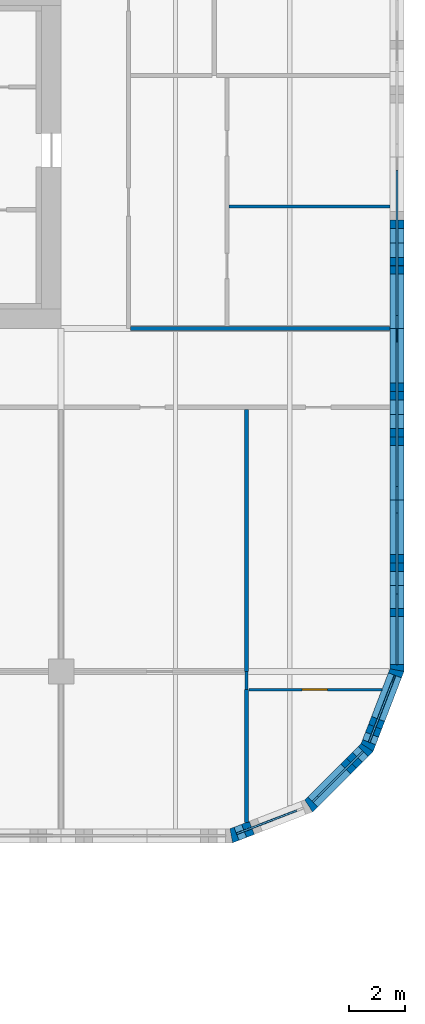
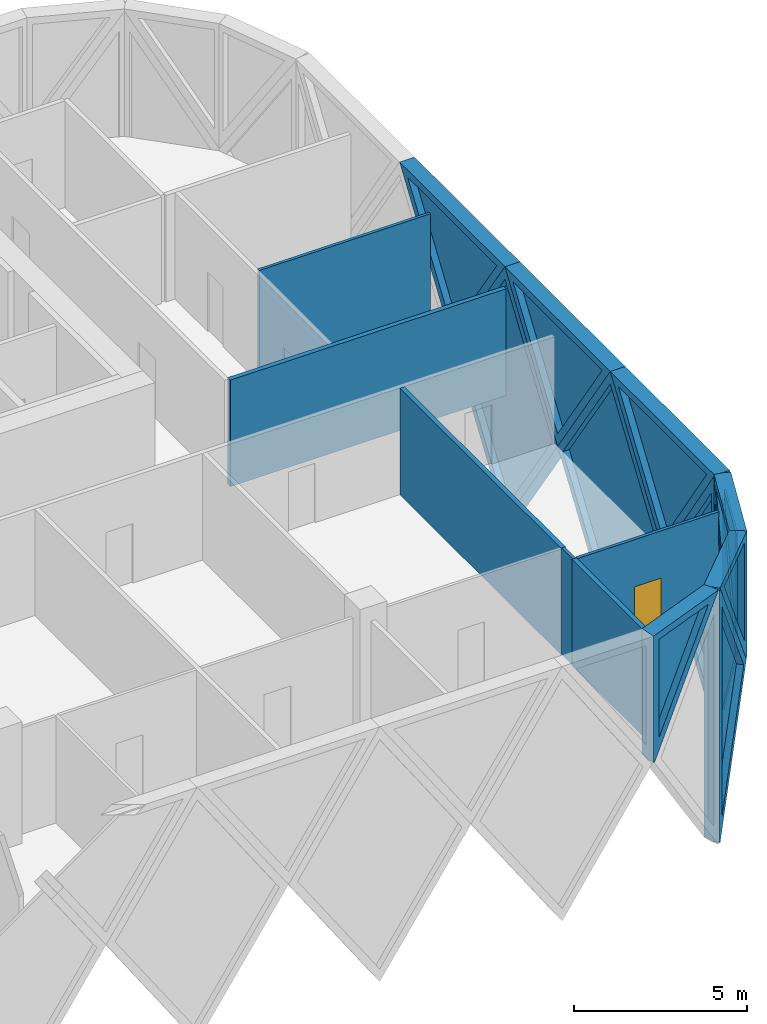
# One storey, part 26 of 30: 17 walls, 11 plates, 1 door, 12 openings.
"""IFC4 building model written with IfcOpenShell, lengths in metres."""

from ifc_helpers import new_model, si_unit, direction, frame, frame_2d, origin, place, context, subcontext, project, spatial, polyline, rectangle, outline, extrude, faceted_brep, source, transform, mapped, material, layer, layer_set, type_object, element, fill, save


model = new_model("IFC4")

# Units and contexts
model_context = context("Model", 3, precision=1e-05, world=origin(), true_north=direction((0.0, 1.0)))
body_context = subcontext(model_context, "Body", "Model", "MODEL_VIEW")
ifc_project = project(units=[si_unit("LENGTHUNIT", "METRE"), si_unit("AREAUNIT", "SQUARE_METRE"), si_unit("VOLUMEUNIT", "CUBIC_METRE"), si_unit("PLANEANGLEUNIT", "RADIAN"), si_unit("MASSUNIT", "GRAM", prefix="KILO")], contexts=[model_context])

# Site, building, storey
site_placement = place(None, origin())
site = spatial("IfcSite", under=ifc_project, at=site_placement, CompositionType="ELEMENT")
building_placement = place(site_placement, origin())
building = spatial("IfcBuilding", under=site, at=building_placement, Name="Tessera Gate Towers", CompositionType="ELEMENT")
storey_placement = place(building_placement, frame((0.0, 0.0, 21.300048828125)))
storey = spatial("IfcBuildingStorey", under=building, at=storey_placement, Name="L04", CompositionType="ELEMENT", Elevation=21.300048828125)

# Walls
ifc_material_1 = material(Name="Gypsum board on steel studs, mineral wool", Category="steel")
ifc_layer_1 = layer(ifc_material_1, 0.14990234375)
ifc_layer_set_1 = layer_set([ifc_layer_1], Name="CORRIDOR WALL 150")
wall_type_1 = type_object("IfcWallType", Name="CORRIDOR WALL 150", PredefinedType="PARTITIONING", material=ifc_layer_set_1)
wall_1_placement = place(storey_placement, frame((124.47607421875, 36.60009765625, 0.0), z_axis=(0.0, 0.0, 1.0), x_axis=(1.0, 0.0, 0.0)))
element("IfcWall", 1, at=wall_1_placement, inside=storey, type_object=wall_type_1, Name="T2-L04-PW-026", PredefinedType="PARTITIONING", context=body_context, shape_type="SweptSolid", body=[
    extrude(rectangle(XDim=9.223876953125, YDim=0.14990234375, at=frame_2d((4.61181640625, 0.0))), origin(), (0.0, 0.0, 1.0), 3.766845703125),
])
ifc_material_2 = material(Name="Glass", Category="glass")
ifc_layer_2 = layer(ifc_material_2, 0.10009765625)
ifc_layer_set_2 = layer_set([ifc_layer_2], Name="GLAZED PARTITION 100")
wall_type_2 = type_object("IfcWallType", Name="GLAZED PARTITION 100", PredefinedType="PARTITIONING", material=ifc_layer_set_2)
wall_2_placement = place(storey_placement, frame((128.60009765625, 23.7509765625, 0.0), z_axis=(0.0, 0.0, 1.0), x_axis=(0.0, 1.0, 0.0)))
element("IfcWall", 2, at=wall_2_placement, inside=storey, type_object=wall_type_2, Name="T2-L04-PW-009", PredefinedType="PARTITIONING", context=body_context, shape_type="SweptSolid", body=[
    extrude(rectangle(XDim=0.64794921875, YDim=0.10009765625, at=frame_2d((0.323974609375, 0.0))), origin(), (0.0, 0.0, 1.0), 3.766845703125),
])

# Wall, opening, door
wall_3_placement = place(storey_placement, frame((133.413330078125, 23.75, 0.0), z_axis=(0.0, 0.0, 1.0), x_axis=(-1.0, 0.0, 0.0)))
wall_3 = element("IfcWall", 3, at=wall_3_placement, inside=storey, type_object=wall_type_2, Name="T2-L04-PW-010", PredefinedType="PARTITIONING", context=body_context, shape_type="SweptSolid", body=[
    extrude(rectangle(XDim=4.7373046875, YDim=0.10009765625, at=frame_2d((2.36865234375, 0.0))), origin(), (0.0, 0.0, 1.0), 3.766845703125),
])
shared_shape_1 = source(origin(), body_context, "Body", "SweptSolid", [
    extrude(rectangle(XDim=0.89990234375, YDim=2.10009765625, at=frame_2d((0.449951171875, 1.050048828125))), frame((0.0, 0.06005859375, 0.0), z_axis=(0.0, -1.0, 0.0), x_axis=(1.0, 0.0, 0.0)), (0.0, 0.0, 1.0), 0.1201171875),
])
opening_1_placement = place(wall_3_placement, frame((1.937255859375, 0.0, 0.0)))
opening_1 = element("IfcOpeningElement", 4, at=opening_1_placement, cuts=wall_3, Name="Opening D690-B02-04", PredefinedType="OPENING", context=body_context, shape_type="MappedRepresentation", body=[
    mapped(shared_shape_1, transform((0.0, 0.0, 0.0), scale=1.0)),
])
ifc_material_3 = material(Name="Glass in aluminium frame", Category="aluminium")
door_type = type_object("IfcDoorType", Name="GLAZED DOOR 900 NOT RATED", OperationType="NOTDEFINED", PredefinedType="DOOR", material=ifc_material_3)
shared_shape_2 = source(origin(), body_context, "Body", "SweptSolid", [
    extrude(rectangle(XDim=0.89990234375, YDim=2.10009765625, at=frame_2d((0.449951171875, 1.050048828125))), frame((0.0, 0.02490234375, 0.0), z_axis=(0.0, -1.0, 0.0), x_axis=(1.0, 0.0, 0.0)), (0.0, 0.0, 1.0), 0.050048828125),
])
door_placement = place(opening_1_placement, origin())
door = element("IfcDoor", 5, at=door_placement, inside=storey, type_object=door_type, Name="T2-L04-PD-008", OperationType="SINGLE_SWING_RIGHT", OverallHeight=2.10009765625, OverallWidth=0.89990234375, PredefinedType="DOOR", context=body_context, shape_type="MappedRepresentation", body=[
    mapped(shared_shape_2, transform((0.0, 0.0, 0.0), scale=1.0)),
])
fill(opening_1, door)

# Walls
ifc_material_4 = material(Name="Gypsum board on steel studs", Category="steel")
ifc_layer_3 = layer(ifc_material_4, 0.10009765625)
ifc_layer_set_3 = layer_set([ifc_layer_3], Name="PARTITION 100")
wall_type_3 = type_object("IfcWallType", Name="PARTITION 100", PredefinedType="PARTITIONING", material=ifc_layer_set_3)
wall_4_placement = place(storey_placement, frame((127.97607421875, 40.947998046875, 0.0), z_axis=(0.0, 0.0, 1.0), x_axis=(1.0, 0.0, 0.0)))
element("IfcWall", 6, at=wall_4_placement, inside=storey, type_object=wall_type_3, Name="T2-L04-PW-031", PredefinedType="PARTITIONING", context=body_context, shape_type="SweptSolid", body=[
    extrude(rectangle(XDim=5.723876953125, YDim=0.10009765625, at=frame_2d((2.86181640625, 0.0))), origin(), (0.0, 0.0, 1.0), 3.766845703125),
])
ifc_material_5 = material(Name="Gypsum board on steel studs, mineral wool", Category="steel")
ifc_layer_4 = layer(ifc_material_5, 0.14990234375)
ifc_layer_set_4 = layer_set([ifc_layer_4], Name="TENANCY WALL 150")
wall_type_4 = type_object("IfcWallType", Name="TENANCY WALL 150", PredefinedType="PARTITIONING", material=ifc_layer_set_4)
wall_5_placement = place(storey_placement, frame((128.60009765625, 19.02880859375, 0.0), z_axis=(0.0, 0.0, 1.0), x_axis=(0.0, 1.0, 0.0)))
element("IfcWall", 7, at=wall_5_placement, inside=storey, type_object=wall_type_4, Name="T2-L04-PW-008", PredefinedType="PARTITIONING", context=body_context, shape_type="SweptSolid", body=[
    extrude(rectangle(XDim=4.72119140625, YDim=0.14990234375, at=frame_2d((2.360595703125, 0.0))), origin(), (0.0, 0.0, 1.0), 3.766845703125),
])
wall_6_placement = place(storey_placement, frame((128.60009765625, 24.39990234375, 0.0), z_axis=(0.0, 0.0, 1.0), x_axis=(0.0, 1.0, 0.0)))
element("IfcWall", 8, at=wall_6_placement, inside=storey, type_object=wall_type_4, Name="T2-L04-PW-020", PredefinedType="PARTITIONING", context=body_context, shape_type="SweptSolid", body=[
    extrude(rectangle(XDim=9.32421875, YDim=0.14990234375, at=frame_2d((4.662109375, 0.0))), origin(), (0.0, 0.0, 1.0), 3.766845703125),
])

# Wall, opening, plate
ifc_material_6 = material(Name="Precast concrete C60/75 white", Category="concrete")
ifc_layer_5 = layer(ifc_material_6, 0.5)
ifc_layer_set_5 = layer_set([ifc_layer_5], Name="TS1 tessera")
wall_type_5 = type_object("IfcWallType", Name="TS1 tessera", PredefinedType="SOLIDWALL", material=ifc_layer_set_5)
shared_shape_3 = source(origin(), body_context, "Body", "Brep", [
    faceted_brep([(3.050048828125, -0.25, 0.0), (6.099853515625, -0.25, 4.499755859375), (6.099853515625, -0.25, 4.500244140625), (3.050048828125, -0.25, 9.0), (0.0, -0.25, 4.5), (0.0, 0.25, 4.5), (3.050048828125, 0.25, 9.0), (6.099853515625, 0.25, 4.500244140625), (6.099853515625, 0.25, 4.499755859375), (3.050048828125, 0.25, 0.0)], [[[0, 1, 2, 3, 4]], [[5, 6, 7, 8, 9]], [[9, 8, 1, 0]], [[7, 6, 3, 2]], [[6, 5, 4, 3]], [[5, 9, 0, 4]], [[1, 8, 7, 2]]]),
])
wall_7_placement = place(storey_placement, frame((133.949951171875, 33.550048828125, -4.5), z_axis=(0.0, 0.0, 1.0), x_axis=(0.0, 1.0, 0.0)))
wall_7 = element("IfcWall", 9, at=wall_7_placement, inside=storey, type_object=wall_type_5, Name="Precast tessera T2 TS1-0008", PredefinedType="SOLIDWALL", context=body_context, shape_type="MappedRepresentation", body=[
    mapped(shared_shape_3, transform((0.0, 0.0, 0.0), scale=1.0)),
])
shared_shape_4 = source(origin(), body_context, "Body", "SweptSolid", [
    extrude(outline(polyline([(3.050048828125, 0.445556640625), (5.798095703125, 4.5), (3.050048828125, 8.554443359375), (0.302001953125, 4.5), (3.050048828125, 0.445556640625)])), frame((0.0, 0.260009765625, 0.0), z_axis=(0.0, -1.0, 0.0), x_axis=(1.0, 0.0, 0.0)), (0.0, 0.0, 1.0), 0.52001953125),
])
opening_2_placement = place(wall_7_placement, origin())
opening_2 = element("IfcOpeningElement", 10, at=opening_2_placement, cuts=wall_7, Name="Opening T2-PL2-0012", PredefinedType="OPENING", context=body_context, shape_type="MappedRepresentation", body=[
    mapped(shared_shape_4, transform((0.0, 0.0, 0.0), scale=1.0)),
])
ifc_material_7 = material(Name="Low-e laminated glass", Category="glass")
ifc_layer_6 = layer(ifc_material_7, 0.06005859375)
ifc_layer_set_6 = layer_set([ifc_layer_6], Name="PL2 rhombic pane")
plate_type_1 = type_object("IfcPlateType", Name="PL2 rhombic pane", PredefinedType="SHEET", material=ifc_layer_set_6)
shared_shape_5 = source(origin(), body_context, "Body", "SweptSolid", [
    extrude(outline(polyline([(3.050048828125, 0.445556640625), (5.798095703125, 4.5), (3.050048828125, 8.554443359375), (0.302001953125, 4.5), (3.050048828125, 0.445556640625)])), frame((0.0, 0.030029296875, 0.0), z_axis=(0.0, -1.0, 0.0), x_axis=(1.0, 0.0, 0.0)), (0.0, 0.0, 1.0), 0.06005859375),
])
plate_1_placement = place(opening_2_placement, origin())
plate_1 = element("IfcPlate", 11, at=plate_1_placement, inside=storey, type_object=plate_type_1, Name="Glass pane T2 PL2-0012", PredefinedType="SHEET", context=body_context, shape_type="MappedRepresentation", body=[
    mapped(shared_shape_5, transform((0.0, 0.0, 0.0), scale=1.0)),
])
fill(opening_2, plate_1)

shared_shape_6 = source(origin(), body_context, "Body", "SweptSolid", [
    extrude(outline(polyline([(3.050048828125, 0.0), (6.10009765625, 4.5), (3.050048828125, 9.0), (0.0, 4.5), (3.050048828125, 0.0)])), frame((0.0, 0.25, 0.0), z_axis=(0.0, -1.0, 0.0), x_axis=(1.0, 0.0, 0.0)), (0.0, 0.0, 1.0), 0.5),
])
wall_8_placement = place(storey_placement, frame((133.949951171875, 27.449951171875, -4.5), z_axis=(0.0, 0.0, 1.0), x_axis=(0.0, 1.0, 0.0)))
wall_8 = element("IfcWall", 12, at=wall_8_placement, inside=storey, type_object=wall_type_5, Name="Precast tessera T2 TS1-0007", PredefinedType="SOLIDWALL", context=body_context, shape_type="MappedRepresentation", body=[
    mapped(shared_shape_6, transform((0.0, 0.0, 0.0), scale=1.0)),
])
opening_3_placement = place(wall_8_placement, origin())
opening_3 = element("IfcOpeningElement", 13, at=opening_3_placement, cuts=wall_8, Name="Opening T2-PL2-0011", PredefinedType="OPENING", context=body_context, shape_type="MappedRepresentation", body=[
    mapped(shared_shape_4, transform((0.0, 0.0, 0.0), scale=1.0)),
])
plate_2_placement = place(opening_3_placement, origin())
plate_2 = element("IfcPlate", 14, at=plate_2_placement, inside=storey, type_object=plate_type_1, Name="Glass pane T2 PL2-0011", PredefinedType="SHEET", context=body_context, shape_type="MappedRepresentation", body=[
    mapped(shared_shape_5, transform((0.0, 0.0, 0.0), scale=1.0)),
])
fill(opening_3, plate_2)

ifc_material_8 = material(Name="Precast concrete C60/75 white", Category="concrete")
ifc_layer_7 = layer(ifc_material_8, 0.5)
ifc_layer_set_7 = layer_set([ifc_layer_7], Name="TS3 corner tessera")
wall_type_6 = type_object("IfcWallType", Name="TS3 corner tessera", PredefinedType="SOLIDWALL", material=ifc_layer_set_7)
shared_shape_7 = source(origin(), body_context, "Body", "Brep", [
    faceted_brep([(2.950439453125, -0.25, 0.0), (2.9970703125, -0.25, 0.06982421875), (2.9970703125, -0.25, 8.93017578125), (2.950439453125, -0.25, 9.0), (0.0, -0.25, 4.5), (0.052978515625, 0.25, 4.580810546875), (2.904052734375, 0.25, 8.92919921875), (2.904052734375, 0.25, 0.07080078125), (0.052978515625, 0.25, 4.419189453125), (2.950439453125, 0.00048828125, 0.0), (2.950439453125, 0.00048828125, 9.0), (0.0, 0.0, 4.5)], [[[0, 1, 2, 3, 4]], [[5, 6, 7, 8]], [[1, 0, 9]], [[10, 3, 2]], [[6, 5, 11, 4, 3, 10]], [[8, 7, 9, 0, 4, 11]], [[8, 11, 5]], [[1, 9, 7, 6, 10, 2]]]),
])
wall_9_placement = place(storey_placement, frame((132.88818359375, 21.69384765625, -4.5), z_axis=(0.0, 0.0, 1.0), x_axis=(0.359901446078, 0.932990326376, 0.0)))
wall_9 = element("IfcWall", 15, at=wall_9_placement, inside=storey, type_object=wall_type_6, Name="Precast corner tessera T2 TS3-0019", PredefinedType="SOLIDWALL", context=body_context, shape_type="MappedRepresentation", body=[
    mapped(shared_shape_7, transform((0.0, 0.0, 0.0), scale=1.0)),
])
shared_shape_8 = source(origin(), body_context, "Body", "SweptSolid", [
    extrude(outline(polyline([(2.75048828125, 8.239013671875), (0.298828125, 4.5), (2.75048828125, 0.760986328125), (2.75048828125, 8.239013671875)])), frame((0.0, 0.260009765625, 0.0), z_axis=(0.0, -1.0, 0.0), x_axis=(1.0, 0.0, 0.0)), (0.0, 0.0, 1.0), 0.52001953125),
])
opening_4_placement = place(wall_9_placement, origin())
opening_4 = element("IfcOpeningElement", 16, at=opening_4_placement, cuts=wall_9, Name="Opening T2-PL2-0009", PredefinedType="OPENING", context=body_context, shape_type="MappedRepresentation", body=[
    mapped(shared_shape_8, transform((0.0, 0.0, 0.0), scale=1.0)),
])
shared_shape_9 = source(origin(), body_context, "Body", "SweptSolid", [
    extrude(outline(polyline([(2.75048828125, 8.239013671875), (0.298828125, 4.5), (2.75048828125, 0.760986328125), (2.75048828125, 8.239013671875)])), frame((0.0, 0.030029296875, 0.0), z_axis=(0.0, -1.0, 0.0), x_axis=(1.0, 0.0, 0.0)), (0.0, 0.0, 1.0), 0.06005859375),
])
plate_3_placement = place(opening_4_placement, origin())
plate_3 = element("IfcPlate", 17, at=plate_3_placement, inside=storey, type_object=plate_type_1, Name="Glass pane T2 PL2-0009", PredefinedType="SHEET", context=body_context, shape_type="MappedRepresentation", body=[
    mapped(shared_shape_9, transform((0.0, 0.0, 0.0), scale=1.0)),
])
fill(opening_4, plate_3)

shared_shape_10 = source(origin(), body_context, "Body", "Brep", [
    faceted_brep([(0.046630859375, -0.25, 0.0), (3.050048828125, -0.25, 4.5), (0.046630859375, -0.25, 9.0), (0.0, -0.25, 8.928955078125), (0.0, -0.25, 0.071044921875), (0.09326171875, 0.25, 8.93017578125), (3.050048828125, 0.25, 4.5), (0.09326171875, 0.25, 0.06982421875), (0.046630859375, 0.0, 0.0), (0.046630859375, 0.0, 9.0)], [[[0, 1, 2, 3, 4]], [[5, 6, 7]], [[7, 6, 1, 0, 8]], [[6, 5, 9, 2, 1]], [[3, 2, 9]], [[8, 0, 4]], [[7, 8, 4, 3, 9, 5]]]),
])
wall_10_placement = place(storey_placement, frame((133.949951171875, 24.39990234375, -4.5), z_axis=(0.0, 0.0, 1.0), x_axis=(0.0, 1.0, 0.0)))
wall_10 = element("IfcWall", 18, at=wall_10_placement, inside=storey, type_object=wall_type_6, Name="Precast corner tessera T2 TS3-0020", PredefinedType="SOLIDWALL", context=body_context, shape_type="MappedRepresentation", body=[
    mapped(shared_shape_10, transform((0.0, 0.0, 0.0), scale=1.0)),
])
shared_shape_11 = source(origin(), body_context, "Body", "SweptSolid", [
    extrude(outline(polyline([(0.24658203125, 0.75), (2.74951171875, 4.5), (0.24658203125, 8.25), (0.24658203125, 0.75)])), frame((0.0, 0.260009765625, 0.0), z_axis=(0.0, -1.0, 0.0), x_axis=(1.0, 0.0, 0.0)), (0.0, 0.0, 1.0), 0.52001953125),
])
opening_5_placement = place(wall_10_placement, origin())
opening_5 = element("IfcOpeningElement", 19, at=opening_5_placement, cuts=wall_10, Name="Opening T2-PL2-0010", PredefinedType="OPENING", context=body_context, shape_type="MappedRepresentation", body=[
    mapped(shared_shape_11, transform((0.0, 0.0, 0.0), scale=1.0)),
])
shared_shape_12 = source(origin(), body_context, "Body", "SweptSolid", [
    extrude(outline(polyline([(0.24658203125, 0.75), (2.74951171875, 4.5), (0.24658203125, 8.25), (0.24658203125, 0.75)])), frame((0.0, 0.030029296875, 0.0), z_axis=(0.0, -1.0, 0.0), x_axis=(1.0, 0.0, 0.0)), (0.0, 0.0, 1.0), 0.06005859375),
])
plate_4_placement = place(opening_5_placement, origin())
plate_4 = element("IfcPlate", 20, at=plate_4_placement, inside=storey, type_object=plate_type_1, Name="Glass pane T2 PL2-0010", PredefinedType="SHEET", context=body_context, shape_type="MappedRepresentation", body=[
    mapped(shared_shape_12, transform((0.0, 0.0, 0.0), scale=1.0)),
])
fill(opening_5, plate_4)

shared_shape_13 = source(origin(), body_context, "Body", "Brep", [
    faceted_brep([(0.052978515625, -0.25, 0.0), (2.9970703125, -0.25, 4.5), (0.052978515625, -0.25, 9.0), (0.0, -0.25, 8.919189453125), (0.0, -0.25, 0.080810546875), (0.10595703125, 0.25, 8.919189453125), (2.944091796875, 0.25, 4.580810546875), (2.944091796875, 0.25, 4.419189453125), (0.10595703125, 0.25, 0.080810546875), (2.9970703125, 0.000244140625, 4.5), (0.052978515625, 0.0, 0.0), (0.052978515625, 0.0, 9.0)], [[[0, 1, 2, 3, 4]], [[5, 6, 7, 8]], [[8, 7, 9, 1, 0, 10]], [[6, 5, 11, 2, 1, 9]], [[3, 2, 11]], [[10, 0, 4]], [[8, 10, 4, 3, 11, 5]], [[9, 7, 6]]]),
])
wall_11_placement = place(storey_placement, frame((130.768798828125, 19.574462890625, -4.5), z_axis=(0.0, 0.0, 1.0), x_axis=(0.707106781187, 0.707106781187, 0.0)))
wall_11 = element("IfcWall", 21, at=wall_11_placement, inside=storey, type_object=wall_type_6, Name="Precast corner tessera T2 TS3-0018", PredefinedType="SOLIDWALL", context=body_context, shape_type="MappedRepresentation", body=[
    mapped(shared_shape_13, transform((0.0, 0.0, 0.0), scale=1.0)),
])
shared_shape_14 = source(origin(), body_context, "Body", "SweptSolid", [
    extrude(outline(polyline([(0.2529296875, 0.76220703125), (2.698486328125, 4.5), (0.2529296875, 8.237548828125), (0.2529296875, 0.76220703125)])), frame((0.0, 0.260009765625, 0.0), z_axis=(0.0, -1.0, 0.0), x_axis=(1.0, 0.0, 0.0)), (0.0, 0.0, 1.0), 0.52001953125),
])
opening_6_placement = place(wall_11_placement, origin())
opening_6 = element("IfcOpeningElement", 22, at=opening_6_placement, cuts=wall_11, Name="Opening T2-PL2-0008", PredefinedType="OPENING", context=body_context, shape_type="MappedRepresentation", body=[
    mapped(shared_shape_14, transform((0.0, 0.0, 0.0), scale=1.0)),
])
shared_shape_15 = source(origin(), body_context, "Body", "SweptSolid", [
    extrude(outline(polyline([(0.2529296875, 0.76220703125), (2.698486328125, 4.5), (0.2529296875, 8.237548828125), (0.2529296875, 0.76220703125)])), frame((0.0, 0.030029296875, 0.0), z_axis=(0.0, -1.0, 0.0), x_axis=(1.0, 0.0, 0.0)), (0.0, 0.0, 1.0), 0.06005859375),
])
plate_5_placement = place(opening_6_placement, origin())
plate_5 = element("IfcPlate", 23, at=plate_5_placement, inside=storey, type_object=plate_type_1, Name="Glass pane T2 PL2-0008", PredefinedType="SHEET", context=body_context, shape_type="MappedRepresentation", body=[
    mapped(shared_shape_15, transform((0.0, 0.0, 0.0), scale=1.0)),
])
fill(opening_6, plate_5)

ifc_material_9 = material(Name="Precast concrete C60/75 white", Category="concrete")
ifc_layer_8 = layer(ifc_material_9, 0.5)
ifc_layer_set_8 = layer_set([ifc_layer_8], Name="TS2 half tessera")
wall_type_7 = type_object("IfcWallType", Name="TS2 half tessera", PredefinedType="SOLIDWALL", material=ifc_layer_set_8)
shared_shape_16 = source(origin(), body_context, "Body", "Brep", [
    faceted_brep([(3.050048828125, -0.25, 0.0), (6.099853515625, -0.25, 4.499755859375), (6.099853515625, -0.25, 4.5), (0.0, -0.25, 4.5), (0.0, 0.25, 4.5), (6.099853515625, 0.25, 4.5), (6.099853515625, 0.25, 4.499755859375), (3.050048828125, 0.25, 0.0)], [[[0, 1, 2, 3]], [[4, 5, 6, 7]], [[7, 6, 1, 0]], [[5, 4, 3, 2]], [[4, 7, 0, 3]], [[1, 6, 5, 2]]]),
])
wall_12_placement = place(storey_placement, frame((133.949951171875, 36.60009765625, 0.0), z_axis=(0.0, 0.0, 1.0), x_axis=(0.0, 1.0, 0.0)))
wall_12 = element("IfcWall", 24, at=wall_12_placement, inside=storey, type_object=wall_type_7, Name="Precast half tessera T2 TS2-0025", PredefinedType="SOLIDWALL", context=body_context, shape_type="MappedRepresentation", body=[
    mapped(shared_shape_16, transform((0.0, 0.0, 0.0), scale=1.0)),
])
shared_shape_17 = source(origin(), body_context, "Body", "SweptSolid", [
    extrude(outline(polyline([(3.050048828125, 0.445556640625), (5.628662109375, 4.25), (0.471435546875, 4.25), (3.050048828125, 0.445556640625)])), frame((0.0, 0.260009765625, 0.0), z_axis=(0.0, -1.0, 0.0), x_axis=(1.0, 0.0, 0.0)), (0.0, 0.0, 1.0), 0.52001953125),
])
opening_7_placement = place(wall_12_placement, origin())
opening_7 = element("IfcOpeningElement", 25, at=opening_7_placement, cuts=wall_12, Name="Opening T2-PL1-0047", PredefinedType="OPENING", context=body_context, shape_type="MappedRepresentation", body=[
    mapped(shared_shape_17, transform((0.0, 0.0, 0.0), scale=1.0)),
])
ifc_material_10 = material(Name="Low-e laminated glass", Category="glass")
ifc_layer_9 = layer(ifc_material_10, 0.06005859375)
ifc_layer_set_9 = layer_set([ifc_layer_9], Name="PL1 triangular pane")
plate_type_2 = type_object("IfcPlateType", Name="PL1 triangular pane", PredefinedType="SHEET", material=ifc_layer_set_9)
shared_shape_18 = source(origin(), body_context, "Body", "SweptSolid", [
    extrude(outline(polyline([(3.050048828125, 0.445556640625), (5.628662109375, 4.25), (0.471435546875, 4.25), (3.050048828125, 0.445556640625)])), frame((0.0, 0.030029296875, 0.0), z_axis=(0.0, -1.0, 0.0), x_axis=(1.0, 0.0, 0.0)), (0.0, 0.0, 1.0), 0.06005859375),
])
plate_6_placement = place(opening_7_placement, origin())
plate_6 = element("IfcPlate", 26, at=plate_6_placement, inside=storey, type_object=plate_type_2, Name="Glass pane T2 PL1-0047", PredefinedType="SHEET", context=body_context, shape_type="MappedRepresentation", body=[
    mapped(shared_shape_18, transform((0.0, 0.0, 0.0), scale=1.0)),
])
fill(opening_7, plate_6)

shared_shape_19 = source(origin(), body_context, "Body", "SweptSolid", [
    extrude(outline(polyline([(3.050048828125, 0.0), (6.10009765625, 4.5), (0.0, 4.5), (3.050048828125, 0.0)])), frame((0.0, 0.25, 0.0), z_axis=(0.0, -1.0, 0.0), x_axis=(1.0, 0.0, 0.0)), (0.0, 0.0, 1.0), 0.5),
])
wall_13_placement = place(storey_placement, frame((133.949951171875, 30.5, 0.0), z_axis=(0.0, 0.0, 1.0), x_axis=(0.0, 1.0, 0.0)))
wall_13 = element("IfcWall", 27, at=wall_13_placement, inside=storey, type_object=wall_type_7, Name="Precast half tessera T2 TS2-0024", PredefinedType="SOLIDWALL", context=body_context, shape_type="MappedRepresentation", body=[
    mapped(shared_shape_19, transform((0.0, 0.0, 0.0), scale=1.0)),
])
opening_8_placement = place(wall_13_placement, origin())
opening_8 = element("IfcOpeningElement", 28, at=opening_8_placement, cuts=wall_13, Name="Opening T2-PL1-0046", PredefinedType="OPENING", context=body_context, shape_type="MappedRepresentation", body=[
    mapped(shared_shape_17, transform((0.0, 0.0, 0.0), scale=1.0)),
])
plate_7_placement = place(opening_8_placement, origin())
plate_7 = element("IfcPlate", 29, at=plate_7_placement, inside=storey, type_object=plate_type_2, Name="Glass pane T2 PL1-0046", PredefinedType="SHEET", context=body_context, shape_type="MappedRepresentation", body=[
    mapped(shared_shape_18, transform((0.0, 0.0, 0.0), scale=1.0)),
])
fill(opening_8, plate_7)

shared_shape_20 = source(origin(), body_context, "Body", "Brep", [
    faceted_brep([(0.046630859375, -0.25, 0.0), (2.9970703125, -0.25, 4.5), (0.0, -0.25, 4.5), (0.0, -0.25, 0.06982421875), (0.09326171875, 0.25, 4.5), (2.9443359375, 0.25, 4.5), (2.9443359375, 0.25, 4.41943359375), (0.09326171875, 0.25, 0.071044921875), (2.9970703125, 0.00048828125, 4.5), (0.046630859375, 0.0, 0.0)], [[[0, 1, 2, 3]], [[4, 5, 6, 7]], [[7, 6, 8, 1, 0, 9]], [[5, 4, 2, 1, 8]], [[9, 0, 3]], [[7, 9, 3, 2, 4]], [[6, 5, 8]]]),
])
wall_14_placement = place(storey_placement, frame((128.010009765625, 18.533203125, 0.0), z_axis=(0.0, 0.0, 1.0), x_axis=(0.932990326376, 0.359901446078, 0.0)))
wall_14 = element("IfcWall", 30, at=wall_14_placement, inside=storey, type_object=wall_type_6, Name="Precast corner tessera T2 TS3-0036", PredefinedType="SOLIDWALL", context=body_context, shape_type="MappedRepresentation", body=[
    mapped(shared_shape_20, transform((0.0, 0.0, 0.0), scale=1.0)),
])
shared_shape_21 = source(origin(), body_context, "Body", "SweptSolid", [
    extrude(outline(polyline([(0.24658203125, 0.760986328125), (2.5341796875, 4.25), (0.24658203125, 4.25), (0.24658203125, 0.760986328125)])), frame((0.0, 0.260009765625, 0.0), z_axis=(0.0, -1.0, 0.0), x_axis=(1.0, 0.0, 0.0)), (0.0, 0.0, 1.0), 0.52001953125),
])
opening_9_placement = place(wall_14_placement, origin())
opening_9 = element("IfcOpeningElement", 31, at=opening_9_placement, cuts=wall_14, Name="Opening T2-PL1-0042", PredefinedType="OPENING", context=body_context, shape_type="MappedRepresentation", body=[
    mapped(shared_shape_21, transform((0.0, 0.0, 0.0), scale=1.0)),
])
shared_shape_22 = source(origin(), body_context, "Body", "SweptSolid", [
    extrude(outline(polyline([(0.24658203125, 0.760986328125), (2.5341796875, 4.25), (0.24658203125, 4.25), (0.24658203125, 0.760986328125)])), frame((0.0, 0.030029296875, 0.0), z_axis=(0.0, -1.0, 0.0), x_axis=(1.0, 0.0, 0.0)), (0.0, 0.0, 1.0), 0.06005859375),
])
plate_8_placement = place(opening_9_placement, origin())
plate_8 = element("IfcPlate", 32, at=plate_8_placement, inside=storey, type_object=plate_type_2, Name="Glass pane T2 PL1-0042", PredefinedType="SHEET", context=body_context, shape_type="MappedRepresentation", body=[
    mapped(shared_shape_22, transform((0.0, 0.0, 0.0), scale=1.0)),
])
fill(opening_9, plate_8)

shared_shape_23 = source(origin(), body_context, "Body", "Brep", [
    faceted_brep([(3.00341796875, -0.25, 0.0), (6.053466796875, -0.25, 4.5), (0.0, -0.25, 4.5), (0.046630859375, 0.25, 4.5), (6.053466796875, 0.25, 4.5), (3.00341796875, 0.25, 0.0), (0.046630859375, 0.25, 4.43017578125), (0.0, 0.0, 4.5)], [[[0, 1, 2]], [[3, 4, 5, 6]], [[5, 4, 1, 0]], [[4, 3, 7, 2, 1]], [[6, 5, 0, 2, 7]], [[6, 7, 3]]]),
])
wall_15_placement = place(storey_placement, frame((133.949951171875, 24.446533203125, 0.0), z_axis=(0.0, 0.0, 1.0), x_axis=(0.0, 1.0, 0.0)))
wall_15 = element("IfcWall", 33, at=wall_15_placement, inside=storey, type_object=wall_type_7, Name="Precast half tessera T2 TS2-0023", PredefinedType="SOLIDWALL", context=body_context, shape_type="MappedRepresentation", body=[
    mapped(shared_shape_23, transform((0.0, 0.0, 0.0), scale=1.0)),
])
shared_shape_24 = source(origin(), body_context, "Body", "SweptSolid", [
    extrude(outline(polyline([(3.005126953125, 0.447998046875), (5.58203125, 4.25), (0.467529296875, 4.25), (3.005126953125, 0.447998046875)])), frame((0.0, 0.260009765625, 0.0), z_axis=(0.0, -1.0, 0.0), x_axis=(1.0, 0.0, 0.0)), (0.0, 0.0, 1.0), 0.52001953125),
])
opening_10_placement = place(wall_15_placement, origin())
opening_10 = element("IfcOpeningElement", 34, at=opening_10_placement, cuts=wall_15, Name="Opening T2-PL1-0045", PredefinedType="OPENING", context=body_context, shape_type="MappedRepresentation", body=[
    mapped(shared_shape_24, transform((0.0, 0.0, 0.0), scale=1.0)),
])
shared_shape_25 = source(origin(), body_context, "Body", "SweptSolid", [
    extrude(outline(polyline([(3.005126953125, 0.447998046875), (5.58203125, 4.25), (0.467529296875, 4.25), (3.005126953125, 0.447998046875)])), frame((0.0, 0.030029296875, 0.0), z_axis=(0.0, -1.0, 0.0), x_axis=(1.0, 0.0, 0.0)), (0.0, 0.0, 1.0), 0.06005859375),
])
plate_9_placement = place(opening_10_placement, origin())
plate_9 = element("IfcPlate", 35, at=plate_9_placement, inside=storey, type_object=plate_type_2, Name="Glass pane T2 PL1-0045", PredefinedType="SHEET", context=body_context, shape_type="MappedRepresentation", body=[
    mapped(shared_shape_25, transform((0.0, 0.0, 0.0), scale=1.0)),
])
fill(opening_10, plate_9)

shared_shape_26 = source(origin(), body_context, "Body", "Brep", [
    faceted_brep([(2.944091796875, -0.25, 0.0), (2.9970703125, -0.25, 0.080810546875), (2.9970703125, -0.25, 4.5), (0.0, -0.25, 4.5), (0.052978515625, 0.25, 4.5), (2.89111328125, 0.25, 4.5), (2.89111328125, 0.25, 0.080810546875), (0.052978515625, 0.25, 4.419189453125), (2.944091796875, 0.000244140625, 0.0), (0.0, 0.0, 4.5)], [[[0, 1, 2, 3]], [[4, 5, 6, 7]], [[1, 0, 8]], [[5, 4, 9, 3, 2]], [[7, 6, 8, 0, 3, 9]], [[7, 9, 4]], [[1, 8, 6, 5, 2]]]),
])
wall_16_placement = place(storey_placement, frame((130.80615234375, 19.61181640625, 0.0), z_axis=(0.0, 0.0, 1.0), x_axis=(0.707106781187, 0.707106781187, 0.0)))
wall_16 = element("IfcWall", 36, at=wall_16_placement, inside=storey, type_object=wall_type_6, Name="Precast corner tessera T2 TS3-0037", PredefinedType="SOLIDWALL", context=body_context, shape_type="MappedRepresentation", body=[
    mapped(shared_shape_26, transform((0.0, 0.0, 0.0), scale=1.0)),
])
shared_shape_27 = source(origin(), body_context, "Body", "SweptSolid", [
    extrude(outline(polyline([(2.744140625, 4.25), (0.46240234375, 4.25), (2.744140625, 0.76220703125), (2.744140625, 4.25)])), frame((0.0, 0.260009765625, 0.0), z_axis=(0.0, -1.0, 0.0), x_axis=(1.0, 0.0, 0.0)), (0.0, 0.0, 1.0), 0.52001953125),
])
opening_11_placement = place(wall_16_placement, origin())
opening_11 = element("IfcOpeningElement", 37, at=opening_11_placement, cuts=wall_16, Name="Opening T2-PL1-0043", PredefinedType="OPENING", context=body_context, shape_type="MappedRepresentation", body=[
    mapped(shared_shape_27, transform((0.0, 0.0, 0.0), scale=1.0)),
])
shared_shape_28 = source(origin(), body_context, "Body", "SweptSolid", [
    extrude(outline(polyline([(2.744140625, 4.25), (0.46240234375, 4.25), (2.744140625, 0.76220703125), (2.744140625, 4.25)])), frame((0.0, 0.030029296875, 0.0), z_axis=(0.0, -1.0, 0.0), x_axis=(1.0, 0.0, 0.0)), (0.0, 0.0, 1.0), 0.06005859375),
])
plate_10_placement = place(opening_11_placement, origin())
plate_10 = element("IfcPlate", 38, at=plate_10_placement, inside=storey, type_object=plate_type_2, Name="Glass pane T2 PL1-0043", PredefinedType="SHEET", context=body_context, shape_type="MappedRepresentation", body=[
    mapped(shared_shape_28, transform((0.0, 0.0, 0.0), scale=1.0)),
])
fill(opening_11, plate_10)

shared_shape_29 = source(origin(), body_context, "Body", "Brep", [
    faceted_brep([(0.052978515625, -0.25, 0.0), (3.00341796875, -0.25, 4.5), (0.0, -0.25, 4.5), (0.0, -0.25, 0.080810546875), (0.10595703125, 0.25, 4.5), (2.95703125, 0.25, 4.5), (2.95703125, 0.25, 4.42919921875), (0.10595703125, 0.25, 0.080810546875), (3.00341796875, 0.00048828125, 4.5), (0.052978515625, 0.0, 0.0)], [[[0, 1, 2, 3]], [[4, 5, 6, 7]], [[7, 6, 8, 1, 0, 9]], [[5, 4, 2, 1, 8]], [[9, 0, 3]], [[7, 9, 3, 2, 4]], [[6, 5, 8]]]),
])
wall_17_placement = place(storey_placement, frame((132.869140625, 21.644287109375, 0.0), z_axis=(0.0, 0.0, 1.0), x_axis=(0.359855894603, 0.933007896601, 0.0)))
wall_17 = element("IfcWall", 39, at=wall_17_placement, inside=storey, type_object=wall_type_6, Name="Precast corner tessera T2 TS3-0038", PredefinedType="SOLIDWALL", context=body_context, shape_type="MappedRepresentation", body=[
    mapped(shared_shape_29, transform((0.0, 0.0, 0.0), scale=1.0)),
])
shared_shape_30 = source(origin(), body_context, "Body", "SweptSolid", [
    extrude(outline(polyline([(0.2529296875, 0.760986328125), (2.54052734375, 4.25), (0.2529296875, 4.25), (0.2529296875, 0.760986328125)])), frame((0.0, 0.260009765625, 0.0), z_axis=(0.0, -1.0, 0.0), x_axis=(1.0, 0.0, 0.0)), (0.0, 0.0, 1.0), 0.52001953125),
])
opening_12_placement = place(wall_17_placement, origin())
opening_12 = element("IfcOpeningElement", 40, at=opening_12_placement, cuts=wall_17, Name="Opening T2-PL1-0044", PredefinedType="OPENING", context=body_context, shape_type="MappedRepresentation", body=[
    mapped(shared_shape_30, transform((0.0, 0.0, 0.0), scale=1.0)),
])
shared_shape_31 = source(origin(), body_context, "Body", "SweptSolid", [
    extrude(outline(polyline([(0.2529296875, 0.760986328125), (2.54052734375, 4.25), (0.2529296875, 4.25), (0.2529296875, 0.760986328125)])), frame((0.0, 0.030029296875, 0.0), z_axis=(0.0, -1.0, 0.0), x_axis=(1.0, 0.0, 0.0)), (0.0, 0.0, 1.0), 0.06005859375),
])
plate_11_placement = place(opening_12_placement, origin())
plate_11 = element("IfcPlate", 41, at=plate_11_placement, inside=storey, type_object=plate_type_2, Name="Glass pane T2 PL1-0044", PredefinedType="SHEET", context=body_context, shape_type="MappedRepresentation", body=[
    mapped(shared_shape_31, transform((0.0, 0.0, 0.0), scale=1.0)),
])
fill(opening_12, plate_11)

save(model, "model.ifc")
